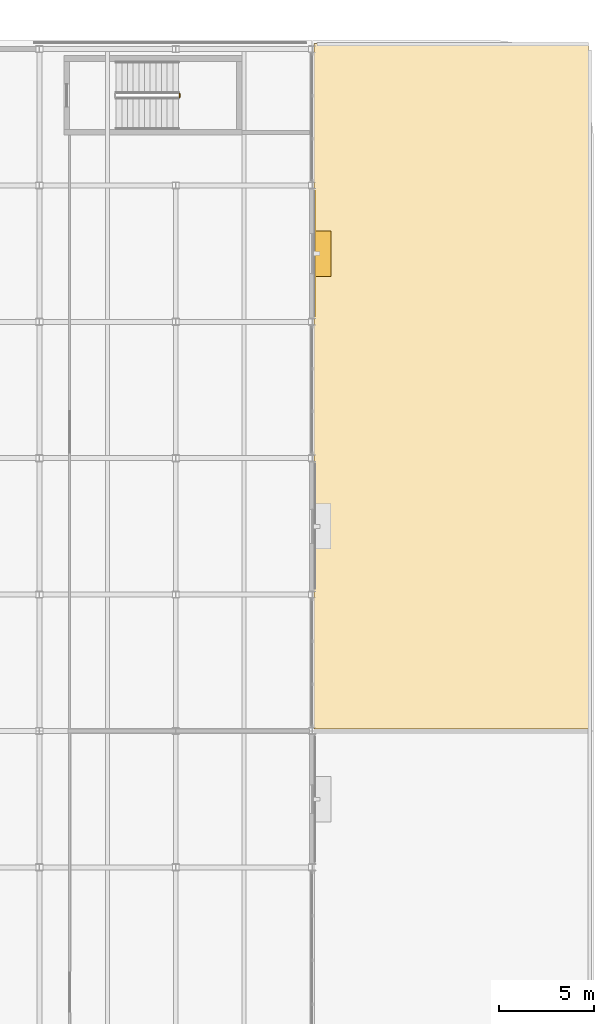
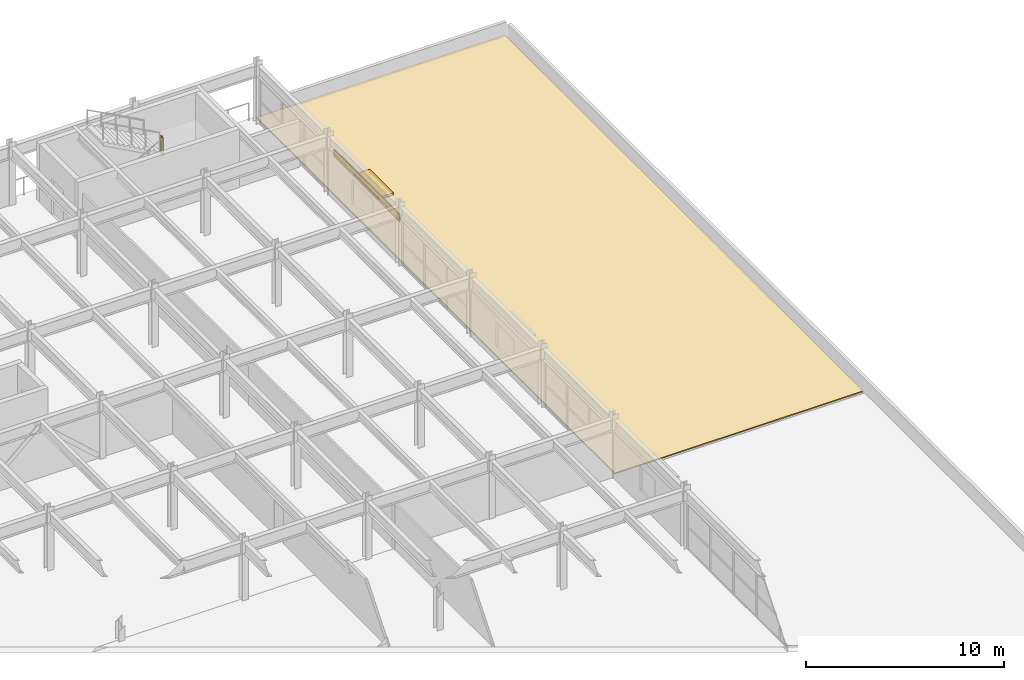
# One storey, part 79 of 80: 2 coverings, 1 railing, 1 shading device.
"""IFC4 building model written with IfcOpenShell, lengths in metres."""

import ifcopenshell
import ifcopenshell.guid

model = None  # the IFC model being written
_history = None  # IfcOwnerHistory: only IFC2X3 demands one
_inside = {}  # id of a spatial element -> (the spatial element, [elements in it])
_under = {}  # id of a project, library or spatial element -> (it, [spatial elements below it])
_declared = {}  # id of a project -> (the project, [libraries it declares])
_typed = {}  # id of a type object -> (the type object, [elements of that type])
_made_of = {}  # id of a material, layer set ... -> (it, [elements and type objects made of it])


def new_model(schema):
    """Start an empty IFC model of exactly this schema.

    Asked for "IFC4X3", IfcOpenShell would pick the latest addendum, in which some entities
    have other attributes; the version numbers below select the first issue.
    IFC2X3 requires an IfcOwnerHistory on every rooted entity: one is made here for all.
    """
    global model, _history
    if schema == "IFC4X3":
        model = ifcopenshell.file(schema_version=(4, 3, 0, 0))
    else:
        model = ifcopenshell.file(schema=schema)
    _inside.clear()
    _under.clear()
    _declared.clear()
    _typed.clear()
    _made_of.clear()
    _history = None
    if model.schema == "IFC2X3":
        org = make("IfcOrganization", Name="unknown")
        user = make(
            "IfcPersonAndOrganization",
            ThePerson=make("IfcPerson", FamilyName="unknown"),
            TheOrganization=org,
        )
        app = make(
            "IfcApplication",
            ApplicationDeveloper=org,
            Version="unknown",
            ApplicationFullName="unknown",
            ApplicationIdentifier="unknown",
        )
        _history = make(
            "IfcOwnerHistory",
            OwningUser=user,
            OwningApplication=app,
            ChangeAction="ADDED",
            CreationDate=0,
        )
    return model


def make(cls, **values):
    """One entity of the class cls with the attributes given. An attribute that is None is left unset."""
    return model.create_entity(
        cls, **{name: value for name, value in values.items() if value is not None}
    )


def rooted(cls, **values):
    """An entity with a GlobalId (a new one), such as an element, a storey or a relation."""
    return make(cls, GlobalId=ifcopenshell.guid.new(), OwnerHistory=_history, **values)


def si_unit(unit_type, name, prefix=None):
    """IfcSIUnit, for example si_unit("LENGTHUNIT", "METRE", prefix="MILLI")."""
    return make("IfcSIUnit", UnitType=unit_type, Prefix=prefix, Name=name)


def assignment(units):
    """IfcUnitAssignment: the units of a project."""
    return None if units is None else make("IfcUnitAssignment", Units=units)


def point(xyz):
    """IfcCartesianPoint."""
    return None if xyz is None else make("IfcCartesianPoint", Coordinates=xyz)


def direction(xyz):
    """IfcDirection."""
    return None if xyz is None else make("IfcDirection", DirectionRatios=xyz)


def frame(location, z_axis=None, x_axis=None):
    """IfcAxis2Placement3D, a coordinate frame: its origin and axes. An axis left out is left unset."""
    return make(
        "IfcAxis2Placement3D",
        Location=point(location),
        Axis=direction(z_axis),
        RefDirection=direction(x_axis),
    )


def frame_2d(location, x_axis=None):
    """IfcAxis2Placement2D, a coordinate frame in the plane: its origin and x axis."""
    return make(
        "IfcAxis2Placement2D", Location=point(location), RefDirection=direction(x_axis)
    )


def origin():
    """The frame at (0, 0, 0) with its axes left unset."""
    return frame((0.0, 0.0, 0.0))


def origin_2d():
    """The frame at (0, 0) in the plane with its x axis left unset."""
    return frame_2d((0.0, 0.0))


def place(relative_to, where):
    """IfcLocalPlacement: puts the frame where relative to a parent placement (None: the world)."""
    return make(
        "IfcLocalPlacement", PlacementRelTo=relative_to, RelativePlacement=where
    )


def context(
    kind, dimensions, precision=None, world=None, true_north=None, identifier=None
):
    """IfcGeometricRepresentationContext, for example the 3D "Model" context."""
    return make(
        "IfcGeometricRepresentationContext",
        ContextIdentifier=identifier,
        ContextType=kind,
        CoordinateSpaceDimension=dimensions,
        Precision=precision,
        WorldCoordinateSystem=world,
        TrueNorth=true_north,
    )


def subcontext(parent, identifier, kind, view, scale=None):
    """IfcGeometricRepresentationSubContext, for example "Body" below "Model"."""
    return make(
        "IfcGeometricRepresentationSubContext",
        ContextIdentifier=identifier,
        ContextType=kind,
        ParentContext=parent,
        TargetScale=scale,
        TargetView=view,
    )


def project(units=None, contexts=None):
    """IfcProject with its units and contexts."""
    return rooted(
        "IfcProject",
        Name="project",
        RepresentationContexts=contexts,
        UnitsInContext=assignment(units),
    )


def spatial(cls, under=None, at=None, **own):
    """A site, building, storey or space (cls), placed at a placement, below another one or the project."""
    s = rooted(cls, ObjectPlacement=at, **own)
    if under is not None:
        _under.setdefault(under.id(), (under, []))[1].append(s)
    return s


def polyline(points):
    """IfcPolyline through the points."""
    return make("IfcPolyline", Points=[point(p) for p in points])


def profile(cls, at=None, kind="AREA", **sizes):
    """A parametric profile (cls). Its sizes go by their IFC names, for example OverallWidth=200.0."""
    return make(cls, ProfileType=kind, Position=at, **sizes)


def rectangle(**sizes):
    """IfcRectangleProfileDef."""
    return profile("IfcRectangleProfileDef", **sizes)


def circle(**sizes):
    """IfcCircleProfileDef."""
    return profile("IfcCircleProfileDef", **sizes)


def outline(outer, holes=None, kind="AREA"):
    """IfcArbitraryClosedProfileDef: a profile drawn as a closed curve; with holes, ...WithVoids."""
    if holes is None:
        return make("IfcArbitraryClosedProfileDef", ProfileType=kind, OuterCurve=outer)
    return make(
        "IfcArbitraryProfileDefWithVoids",
        ProfileType=kind,
        OuterCurve=outer,
        InnerCurves=holes,
    )


def extrude(swept, where, along, depth):
    """IfcExtrudedAreaSolid: the profile swept, set in the frame where, extruded along a direction by depth."""
    return make(
        "IfcExtrudedAreaSolid",
        SweptArea=swept,
        Position=where,
        ExtrudedDirection=direction(along),
        Depth=depth,
    )


def shape(context_of_items, identifier, shape_type, items):
    """IfcShapeRepresentation: the items that make up one representation, for example the "Body"."""
    return make(
        "IfcShapeRepresentation",
        ContextOfItems=context_of_items,
        RepresentationIdentifier=identifier,
        RepresentationType=shape_type,
        Items=items,
    )


def material(Name=None, Category=None):
    """IfcMaterial."""
    return make("IfcMaterial", Name=Name, Category=Category)


def layer(
    of_material, thickness, ventilated=None, Name=None, Category=None, Priority=None
):
    """IfcMaterialLayer: one layer of a wall or slab, of a material (None: an air gap)."""
    return make(
        "IfcMaterialLayer",
        Material=of_material,
        LayerThickness=thickness,
        IsVentilated=ventilated,
        Name=Name,
        Category=Category,
        Priority=Priority,
    )


def layer_set(layers, Name=None):
    """IfcMaterialLayerSet."""
    return make("IfcMaterialLayerSet", MaterialLayers=layers, LayerSetName=Name)


def made_of(thing, what):
    """Note that an element or type object is made of a material, layer set ...; save() writes the relation."""
    if what is not None:
        _made_of.setdefault(what.id(), (what, []))[1].append(thing)
    return thing


def type_object(cls, material=None, **own):
    """A type object (cls), such as IfcWallType, which elements share."""
    return made_of(rooted(cls, **own), material)


def element(
    cls,
    number,
    at=None,
    inside=None,
    cuts=None,
    type_object=None,
    material=None,
    context=None,
    identifier="Body",
    shape_type=None,
    held_by="IfcProductDefinitionShape",
    body=None,
    shapes=None,
    **own,
):
    """One element of the class cls, such as IfcWall. Its Tag is "e" and its number.

    at: its placement. inside: the storey or other place that contains it. cuts: it is an
    opening in that element (IfcRelVoidsElement). A single representation is given by context,
    identifier, shape_type and body (its items); several are given by shapes. held_by: the class
    of the entity that holds the representations. save() writes the other relations.
    """
    e = rooted(cls, Tag="e%d" % number, ObjectPlacement=at, **own)
    if body is not None:
        shapes = [shape(context, identifier, shape_type, body)]
    if shapes is not None:
        e.Representation = make(held_by, Representations=shapes)
    if inside is not None:
        _inside.setdefault(inside.id(), (inside, []))[1].append(e)
    if cuts is not None:
        rooted(
            "IfcRelVoidsElement", RelatingBuildingElement=cuts, RelatedOpeningElement=e
        )
    if type_object is not None:
        _typed.setdefault(type_object.id(), (type_object, []))[1].append(e)
    return made_of(e, material)


def aggregate(whole, parts):
    """IfcRelAggregates: a whole, such as a stair, and the parts it consists of."""
    return rooted("IfcRelAggregates", RelatingObject=whole, RelatedObjects=parts)


def save(model, path):
    """Write the relations noted so far, then the file.

    IfcRelAggregates (storeys below a building ...), IfcRelContainedInSpatialStructure (elements
    in a storey), IfcRelDefinesByType, IfcRelAssociatesMaterial and IfcRelDeclares: one each for
    every whole, place, type object, material and project.
    """
    for whole, parts in _under.values():
        aggregate(whole, parts)
    for where, things in _inside.values():
        rooted(
            "IfcRelContainedInSpatialStructure",
            RelatedElements=things,
            RelatingStructure=where,
        )
    for kind, things in _typed.values():
        rooted("IfcRelDefinesByType", RelatedObjects=things, RelatingType=kind)
    for what, things in _made_of.values():
        rooted("IfcRelAssociatesMaterial", RelatedObjects=things, RelatingMaterial=what)
    for by, libraries in _declared.values():
        rooted("IfcRelDeclares", RelatingContext=by, RelatedDefinitions=libraries)
    model.write(path)


model = new_model("IFC4")

# Units and contexts
model_context = context("Model", 3, precision=1e-05, world=origin(), true_north=direction((0.0, 1.0)))
body_context = subcontext(model_context, "Body", "Model", "MODEL_VIEW")
ifc_project = project(units=[si_unit("LENGTHUNIT", "METRE"), si_unit("AREAUNIT", "SQUARE_METRE"), si_unit("VOLUMEUNIT", "CUBIC_METRE"), si_unit("PLANEANGLEUNIT", "RADIAN"), si_unit("MASSUNIT", "GRAM", prefix="KILO")], contexts=[model_context])

# Site, building, storey
site_placement = place(None, origin())
site = spatial("IfcSite", under=ifc_project, at=site_placement, CompositionType="ELEMENT")
building_placement = place(site_placement, origin())
building = spatial("IfcBuilding", under=site, at=building_placement, Name="Vaelcorin Mobility Hub", CompositionType="ELEMENT")
storey_placement = place(building_placement, frame((0.0, 0.0, 9.300048828125)))
storey = spatial("IfcBuildingStorey", under=building, at=storey_placement, Name="L02", CompositionType="ELEMENT", Elevation=9.300048828125)

# Coverings
ifc_material_1 = material(Name="Extruded terracotta-bronze rainscreen panel", Category="masonry")
ifc_layer_1 = layer(ifc_material_1, 0.034912109375)
ifc_layer_set_1 = layer_set([ifc_layer_1], Name="Extruded terracotta-bronze rainscreen panel")
covering_type_1 = type_object("IfcCoveringType", Name="COV-CLAD-35", PredefinedType="CLADDING", material=ifc_layer_set_1)
covering_1_placement = place(storey_placement, frame((189.739990234375, 109.199951171875, 2.35302734375), z_axis=(0.0, 0.0, 1.0), x_axis=(1.0, 0.0, 0.0)))
element("IfcCovering", 1, at=covering_1_placement, inside=storey, type_object=covering_type_1, Name="Terracotta-Bronze Facade Cladding L02-13", PredefinedType="CLADDING", context=body_context, shape_type="SweptSolid", body=[
    extrude(rectangle(XDim=0.028076171875, YDim=6.60009765625, at=origin_2d()), origin(), (0.0, 0.0, 1.0), 0.449951171875),
])
ifc_material_2 = material(Name="TPO reflective insulated roofing membrane")
ifc_layer_2 = layer(ifc_material_2, 0.06494140625)
ifc_layer_set_2 = layer_set([ifc_layer_2], Name="TPO reflective insulated roofing membrane")
covering_type_2 = type_object("IfcCoveringType", Name="COV-ROOF-V5", PredefinedType="ROOFING", material=ifc_layer_set_2)
covering_2_placement = place(storey_placement, origin())
element("IfcCovering", 2, at=covering_2_placement, inside=storey, type_object=covering_type_2, Name="East Cycle Wing TPO Roofing Membrane 3", PredefinedType="ROOFING", context=body_context, shape_type="SweptSolid", body=[
    extrude(outline(polyline([(189.699951171875, 84.10009765625), (204.199951171875, 84.10009765625), (204.199951171875, 120.300048828125), (189.699951171875, 120.300048828125), (189.699951171875, 84.10009765625)])), origin(), (0.0, 0.0, 1.0), 0.06494140625),
])

# Railing
ifc_material_3 = material(Name="Brushed stainless steel 316L", Category="steel")
ifc_layer_3 = layer(ifc_material_3, 0.048095703125)
ifc_layer_set_3 = layer_set([ifc_layer_3], Name="Brushed stainless steel 316L")
railing_type = type_object("IfcRailingType", Name="RL-STAIR-GRD", PredefinedType="GUARDRAIL", material=ifc_layer_set_3)
railing_placement = place(storey_placement, frame((182.60009765625, 117.449951171875, 1.949951171875)))
element("IfcRailing", 3, at=railing_placement, inside=storey, type_object=railing_type, Name="L02 ST6 stair guard 2", PredefinedType="GUARDRAIL", context=body_context, shape_type="SweptSolid", body=[
    extrude(circle(Radius=0.02392578125, at=origin_2d()), frame((0.0, 0.0, 1.076171875), z_axis=(0.0, 1.0, 0.0), x_axis=(-1.0, 0.0, 0.0)), (0.0, 0.0, 1.0), 0.199951171875),
    extrude(circle(Radius=0.02099609375, at=origin_2d()), origin(), (0.0, 0.0, 1.0), 1.052001953125),
    extrude(circle(Radius=0.02099609375, at=origin_2d()), frame((0.0, 0.199951171875, 0.0)), (0.0, 0.0, 1.0), 1.052001953125),
])

# Shading device
ifc_material_4 = material(Name="Perforated terracotta-bronze aluminium aerofoil", Category="masonry")
shading_device_type = type_object("IfcShadingDeviceType", Name="SHD-JAL-1", PredefinedType="JALOUSIE", material=ifc_material_4)
shading_device_placement = place(storey_placement, frame((190.14990234375, 109.199951171875, 2.408203125), z_axis=(0.0, 0.0, 1.0), x_axis=(1.0, 0.0, 0.0)))
element("IfcShadingDevice", 4, at=shading_device_placement, inside=storey, type_object=shading_device_type, Name="Jalousie Sun-Hood L02-13", PredefinedType="JALOUSIE", context=body_context, shape_type="SweptSolid", body=[
    extrude(rectangle(XDim=0.89990234375, YDim=2.39990234375, at=origin_2d()), origin(), (0.0, 0.0, 1.0), 0.139892578125),
])

save(model, "model.ifc")
